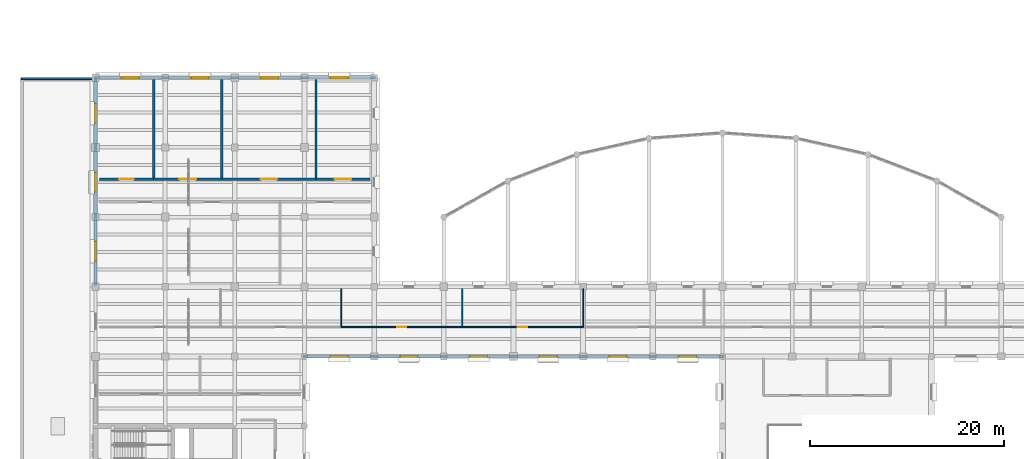
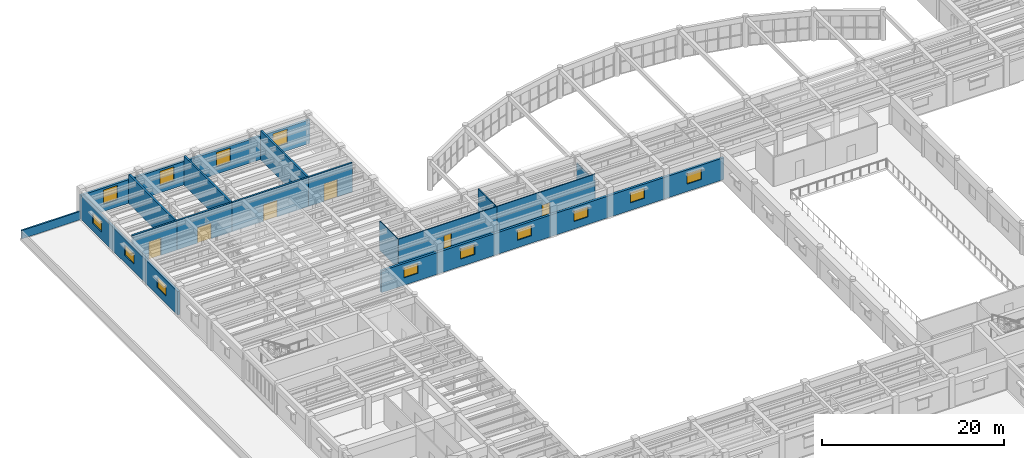
# One storey, part 55 of 76: 16 walls, 13 windows, 6 doors, 19 openings.
"""IFC4 building model written with IfcOpenShell, lengths in metres."""

from ifc_helpers import new_model, si_unit, direction, frame, frame_2d, origin, place, context, subcontext, project, spatial, rectangle, extrude, material, layer, layer_set, type_object, element, fill, save


model = new_model("IFC4")

# Units and contexts
model_context = context("Model", 3, precision=1e-05, world=origin(), true_north=direction((0.0, 1.0)))
body_context = subcontext(model_context, "Body", "Model", "MODEL_VIEW")
ifc_project = project(units=[si_unit("LENGTHUNIT", "METRE"), si_unit("AREAUNIT", "SQUARE_METRE"), si_unit("VOLUMEUNIT", "CUBIC_METRE"), si_unit("PLANEANGLEUNIT", "RADIAN"), si_unit("MASSUNIT", "GRAM", prefix="KILO")], contexts=[model_context])

# Site, building, storey
site_placement = place(None, origin())
site = spatial("IfcSite", under=ifc_project, at=site_placement, CompositionType="ELEMENT")
building_placement = place(site_placement, origin())
building = spatial("IfcBuilding", under=site, at=building_placement, Name="Mithqara Police Headquarters", CompositionType="ELEMENT")
storey_placement = place(building_placement, frame((0.0, 0.0, 5.39990234375)))
storey = spatial("IfcBuildingStorey", under=building, at=storey_placement, Name="L01", CompositionType="ELEMENT", Elevation=5.39990234375)

# Wall, openings, windows
ifc_material_1 = material(Name="Ochre masonry cavity wall, 35 MPa", Category="masonry")
ifc_layer_1 = layer(ifc_material_1, 0.300048828125, Name="Ochre masonry cavity wall, 35 MPa")
ifc_layer_set_1 = layer_set([ifc_layer_1], Name="Ochre masonry cavity wall, 35 MPa")
wall_type_1 = type_object("IfcWallType", Name="EXT WALL OCHRE BRICK300", PredefinedType="SOLIDWALL", material=ifc_layer_set_1)
wall_1_placement = place(storey_placement, frame((36.75, 107.39990234375, 0.0), z_axis=(0.0, 0.0, 1.0), x_axis=(-1.0, 0.0, 0.0)))
wall_1 = element("IfcWall", 1, at=wall_1_placement, inside=storey, type_object=wall_type_1, Name="L01 Exterior Wall 14.1", PredefinedType="SOLIDWALL", context=body_context, shape_type="SweptSolid", body=[
    extrude(rectangle(XDim=29.10009765625, YDim=0.300048828125, at=frame_2d((14.550048828125, 0.0))), origin(), (0.0, 0.0, 1.0), 3.170166015625),
])
opening_1_placement = place(wall_1_placement, frame((24.449951171875, 0.0, 1.0)))
opening_1 = element("IfcOpeningElement", 2, at=opening_1_placement, cuts=wall_1, Name="Opening W-33", PredefinedType="OPENING", context=body_context, shape_type="SweptSolid", body=[
    extrude(rectangle(XDim=1.800048828125, YDim=1.89990234375, at=frame_2d((0.89990234375, 0.949951171875))), frame((0.0, 0.16015625, 0.0), z_axis=(0.0, -1.0, 0.0), x_axis=(1.0, 0.0, 0.0)), (0.0, 0.0, 1.0), 0.320068359375),
])
opening_2_placement = place(wall_1_placement, frame((17.25, 0.0, 1.0)))
opening_2 = element("IfcOpeningElement", 3, at=opening_2_placement, cuts=wall_1, Name="Opening W-33", PredefinedType="OPENING", context=body_context, shape_type="SweptSolid", body=[
    extrude(rectangle(XDim=1.800048828125, YDim=1.89990234375, at=frame_2d((0.89990234375, 0.949951171875))), frame((0.0, 0.16015625, 0.0), z_axis=(0.0, -1.0, 0.0), x_axis=(1.0, 0.0, 0.0)), (0.0, 0.0, 1.0), 0.320068359375),
])
opening_3_placement = place(wall_1_placement, frame((10.050048828125, 0.0, 1.0)))
opening_3 = element("IfcOpeningElement", 4, at=opening_3_placement, cuts=wall_1, Name="Opening W-33", PredefinedType="OPENING", context=body_context, shape_type="SweptSolid", body=[
    extrude(rectangle(XDim=1.800048828125, YDim=1.89990234375, at=frame_2d((0.89990234375, 0.949951171875))), frame((0.0, 0.16015625, 0.0), z_axis=(0.0, -1.0, 0.0), x_axis=(1.0, 0.0, 0.0)), (0.0, 0.0, 1.0), 0.320068359375),
])
opening_4_placement = place(wall_1_placement, frame((2.85009765625, 0.0, 1.0)))
opening_4 = element("IfcOpeningElement", 5, at=opening_4_placement, cuts=wall_1, Name="Opening W-33", PredefinedType="OPENING", context=body_context, shape_type="SweptSolid", body=[
    extrude(rectangle(XDim=1.800048828125, YDim=1.89990234375, at=frame_2d((0.89990234375, 0.949951171875))), frame((0.0, 0.16015625, 0.0), z_axis=(0.0, -1.0, 0.0), x_axis=(1.0, 0.0, 0.0)), (0.0, 0.0, 1.0), 0.320068359375),
])
ifc_material_2 = material(Name="Spectrally selective double low-e glass", Category="glass")
window_type_1 = type_object("IfcWindowType", Name="WINDOW 1800X1900", PartitioningType="DOUBLE_PANEL_VERTICAL", PredefinedType="WINDOW", material=ifc_material_2)
window_1_placement = place(opening_1_placement, origin())
window_1 = element("IfcWindow", 6, at=window_1_placement, inside=storey, type_object=window_type_1, Name="L01 Deep-Set Punched Window 14.1", OverallHeight=1.89990234375, OverallWidth=1.800048828125, PartitioningType="SINGLE_PANEL", PredefinedType="WINDOW", context=body_context, shape_type="SweptSolid", body=[
    extrude(rectangle(XDim=1.800048828125, YDim=1.89990234375, at=frame_2d((0.89990234375, 0.949951171875))), frame((0.0, 0.030029296875, 0.0), z_axis=(0.0, -1.0, 0.0), x_axis=(1.0, 0.0, 0.0)), (0.0, 0.0, 1.0), 0.06005859375),
])
fill(opening_1, window_1)
window_2_placement = place(opening_2_placement, origin())
window_2 = element("IfcWindow", 7, at=window_2_placement, inside=storey, type_object=window_type_1, Name="L01 Deep-Set Punched Window 14.2", OverallHeight=1.89990234375, OverallWidth=1.800048828125, PartitioningType="SINGLE_PANEL", PredefinedType="WINDOW", context=body_context, shape_type="SweptSolid", body=[
    extrude(rectangle(XDim=1.800048828125, YDim=1.89990234375, at=frame_2d((0.89990234375, 0.949951171875))), frame((0.0, 0.030029296875, 0.0), z_axis=(0.0, -1.0, 0.0), x_axis=(1.0, 0.0, 0.0)), (0.0, 0.0, 1.0), 0.06005859375),
])
fill(opening_2, window_2)
window_3_placement = place(opening_3_placement, origin())
window_3 = element("IfcWindow", 8, at=window_3_placement, inside=storey, type_object=window_type_1, Name="L01 Deep-Set Punched Window 14.3", OverallHeight=1.89990234375, OverallWidth=1.800048828125, PartitioningType="SINGLE_PANEL", PredefinedType="WINDOW", context=body_context, shape_type="SweptSolid", body=[
    extrude(rectangle(XDim=1.800048828125, YDim=1.89990234375, at=frame_2d((0.89990234375, 0.949951171875))), frame((0.0, 0.030029296875, 0.0), z_axis=(0.0, -1.0, 0.0), x_axis=(1.0, 0.0, 0.0)), (0.0, 0.0, 1.0), 0.06005859375),
])
fill(opening_3, window_3)
window_4_placement = place(opening_4_placement, origin())
window_4 = element("IfcWindow", 9, at=window_4_placement, inside=storey, type_object=window_type_1, Name="L01 Deep-Set Punched Window 14.4", OverallHeight=1.89990234375, OverallWidth=1.800048828125, PartitioningType="SINGLE_PANEL", PredefinedType="WINDOW", context=body_context, shape_type="SweptSolid", body=[
    extrude(rectangle(XDim=1.800048828125, YDim=1.89990234375, at=frame_2d((0.89990234375, 0.949951171875))), frame((0.0, 0.030029296875, 0.0), z_axis=(0.0, -1.0, 0.0), x_axis=(1.0, 0.0, 0.0)), (0.0, 0.0, 1.0), 0.06005859375),
])
fill(opening_4, window_4)

wall_2_placement = place(storey_placement, frame((7.800048828125, 107.25, 0.0), z_axis=(0.0, 0.0, 1.0), x_axis=(0.0, -1.0, 0.0)))
wall_2 = element("IfcWall", 10, at=wall_2_placement, inside=storey, type_object=wall_type_1, Name="L01 Exterior Wall 15.1", PredefinedType="SOLIDWALL", context=body_context, shape_type="SweptSolid", body=[
    extrude(rectangle(XDim=21.300048828125, YDim=0.300048828125, at=frame_2d((10.64990234375, 0.0))), origin(), (0.0, 0.0, 1.0), 3.170166015625),
])
opening_5_placement = place(wall_2_placement, frame((16.77490234375, 0.0, 1.0)))
opening_5 = element("IfcOpeningElement", 11, at=opening_5_placement, cuts=wall_2, Name="Opening W-36", PredefinedType="OPENING", context=body_context, shape_type="SweptSolid", body=[
    extrude(rectangle(XDim=2.0, YDim=1.39990234375, at=frame_2d((1.0, 0.699951171875))), frame((0.0, 0.16015625, 0.0), z_axis=(0.0, -1.0, 0.0), x_axis=(1.0, 0.0, 0.0)), (0.0, 0.0, 1.0), 0.320068359375),
])
opening_6_placement = place(wall_2_placement, frame((9.64990234375, 0.0, 1.0)))
opening_6 = element("IfcOpeningElement", 12, at=opening_6_placement, cuts=wall_2, Name="Opening W-36", PredefinedType="OPENING", context=body_context, shape_type="SweptSolid", body=[
    extrude(rectangle(XDim=2.0, YDim=1.39990234375, at=frame_2d((1.0, 0.699951171875))), frame((0.0, 0.16015625, 0.0), z_axis=(0.0, -1.0, 0.0), x_axis=(1.0, 0.0, 0.0)), (0.0, 0.0, 1.0), 0.320068359375),
])
opening_7_placement = place(wall_2_placement, frame((2.52490234375, 0.0, 1.0)))
opening_7 = element("IfcOpeningElement", 13, at=opening_7_placement, cuts=wall_2, Name="Opening W-36", PredefinedType="OPENING", context=body_context, shape_type="SweptSolid", body=[
    extrude(rectangle(XDim=2.0, YDim=1.39990234375, at=frame_2d((1.0, 0.699951171875))), frame((0.0, 0.16015625, 0.0), z_axis=(0.0, -1.0, 0.0), x_axis=(1.0, 0.0, 0.0)), (0.0, 0.0, 1.0), 0.320068359375),
])
window_type_2 = type_object("IfcWindowType", Name="WINDOW 2000X1400", PartitioningType="DOUBLE_PANEL_VERTICAL", PredefinedType="WINDOW", material=ifc_material_2)
window_5_placement = place(opening_5_placement, origin())
window_5 = element("IfcWindow", 14, at=window_5_placement, inside=storey, type_object=window_type_2, Name="L01 Deep-Set Punched Window 15.1", OverallHeight=1.39990234375, OverallWidth=2.0, PartitioningType="SINGLE_PANEL", PredefinedType="WINDOW", context=body_context, shape_type="SweptSolid", body=[
    extrude(rectangle(XDim=2.0, YDim=1.39990234375, at=frame_2d((1.0, 0.699951171875))), frame((0.0, 0.030029296875, 0.0), z_axis=(0.0, -1.0, 0.0), x_axis=(1.0, 0.0, 0.0)), (0.0, 0.0, 1.0), 0.06005859375),
])
fill(opening_5, window_5)
window_6_placement = place(opening_6_placement, origin())
window_6 = element("IfcWindow", 15, at=window_6_placement, inside=storey, type_object=window_type_2, Name="L01 Deep-Set Punched Window 15.2", OverallHeight=1.39990234375, OverallWidth=2.0, PartitioningType="SINGLE_PANEL", PredefinedType="WINDOW", context=body_context, shape_type="SweptSolid", body=[
    extrude(rectangle(XDim=2.0, YDim=1.39990234375, at=frame_2d((1.0, 0.699951171875))), frame((0.0, 0.030029296875, 0.0), z_axis=(0.0, -1.0, 0.0), x_axis=(1.0, 0.0, 0.0)), (0.0, 0.0, 1.0), 0.06005859375),
])
fill(opening_6, window_6)
window_7_placement = place(opening_7_placement, origin())
window_7 = element("IfcWindow", 16, at=window_7_placement, inside=storey, type_object=window_type_2, Name="L01 Deep-Set Punched Window 15.3", OverallHeight=1.39990234375, OverallWidth=2.0, PartitioningType="SINGLE_PANEL", PredefinedType="WINDOW", context=body_context, shape_type="SweptSolid", body=[
    extrude(rectangle(XDim=2.0, YDim=1.39990234375, at=frame_2d((1.0, 0.699951171875))), frame((0.0, 0.030029296875, 0.0), z_axis=(0.0, -1.0, 0.0), x_axis=(1.0, 0.0, 0.0)), (0.0, 0.0, 1.0), 0.06005859375),
])
fill(opening_7, window_7)

wall_3_placement = place(storey_placement, frame((29.25, 78.60009765625, 0.0), z_axis=(0.0, 0.0, 1.0), x_axis=(1.0, 0.0, 0.0)))
wall_3 = element("IfcWall", 17, at=wall_3_placement, inside=storey, type_object=wall_type_1, Name="L01 Exterior Wall 3.1", PredefinedType="SOLIDWALL", context=body_context, shape_type="SweptSolid", body=[
    extrude(rectangle(XDim=43.5, YDim=0.300048828125, at=frame_2d((21.75, 0.0))), origin(), (0.0, 0.0, 1.0), 2.920166015625),
])
opening_8_placement = place(wall_3_placement, frame((2.85009765625, 0.0, 1.0)))
opening_8 = element("IfcOpeningElement", 18, at=opening_8_placement, cuts=wall_3, Name="Opening W-31", PredefinedType="OPENING", context=body_context, shape_type="SweptSolid", body=[
    extrude(rectangle(XDim=1.800048828125, YDim=1.39990234375, at=frame_2d((0.89990234375, 0.699951171875))), frame((0.0, 0.16015625, 0.0), z_axis=(0.0, -1.0, 0.0), x_axis=(1.0, 0.0, 0.0)), (0.0, 0.0, 1.0), 0.320068359375),
])
opening_9_placement = place(wall_3_placement, frame((10.050048828125, 0.0, 1.0)))
opening_9 = element("IfcOpeningElement", 19, at=opening_9_placement, cuts=wall_3, Name="Opening W-31", PredefinedType="OPENING", context=body_context, shape_type="SweptSolid", body=[
    extrude(rectangle(XDim=1.800048828125, YDim=1.39990234375, at=frame_2d((0.89990234375, 0.699951171875))), frame((0.0, 0.16015625, 0.0), z_axis=(0.0, -1.0, 0.0), x_axis=(1.0, 0.0, 0.0)), (0.0, 0.0, 1.0), 0.320068359375),
])
opening_10_placement = place(wall_3_placement, frame((17.25, 0.0, 1.0)))
opening_10 = element("IfcOpeningElement", 20, at=opening_10_placement, cuts=wall_3, Name="Opening W-31", PredefinedType="OPENING", context=body_context, shape_type="SweptSolid", body=[
    extrude(rectangle(XDim=1.800048828125, YDim=1.39990234375, at=frame_2d((0.89990234375, 0.699951171875))), frame((0.0, 0.16015625, 0.0), z_axis=(0.0, -1.0, 0.0), x_axis=(1.0, 0.0, 0.0)), (0.0, 0.0, 1.0), 0.320068359375),
])
opening_11_placement = place(wall_3_placement, frame((24.449951171875, 0.0, 1.0)))
opening_11 = element("IfcOpeningElement", 21, at=opening_11_placement, cuts=wall_3, Name="Opening W-31", PredefinedType="OPENING", context=body_context, shape_type="SweptSolid", body=[
    extrude(rectangle(XDim=1.800048828125, YDim=1.39990234375, at=frame_2d((0.89990234375, 0.699951171875))), frame((0.0, 0.16015625, 0.0), z_axis=(0.0, -1.0, 0.0), x_axis=(1.0, 0.0, 0.0)), (0.0, 0.0, 1.0), 0.320068359375),
])
opening_12_placement = place(wall_3_placement, frame((31.64990234375, 0.0, 1.0)))
opening_12 = element("IfcOpeningElement", 22, at=opening_12_placement, cuts=wall_3, Name="Opening W-31", PredefinedType="OPENING", context=body_context, shape_type="SweptSolid", body=[
    extrude(rectangle(XDim=1.800048828125, YDim=1.39990234375, at=frame_2d((0.89990234375, 0.699951171875))), frame((0.0, 0.16015625, 0.0), z_axis=(0.0, -1.0, 0.0), x_axis=(1.0, 0.0, 0.0)), (0.0, 0.0, 1.0), 0.320068359375),
])
opening_13_placement = place(wall_3_placement, frame((38.85009765625, 0.0, 1.0)))
opening_13 = element("IfcOpeningElement", 23, at=opening_13_placement, cuts=wall_3, Name="Opening W-31", PredefinedType="OPENING", context=body_context, shape_type="SweptSolid", body=[
    extrude(rectangle(XDim=1.800048828125, YDim=1.39990234375, at=frame_2d((0.89990234375, 0.699951171875))), frame((0.0, 0.16015625, 0.0), z_axis=(0.0, -1.0, 0.0), x_axis=(1.0, 0.0, 0.0)), (0.0, 0.0, 1.0), 0.320068359375),
])
window_type_3 = type_object("IfcWindowType", Name="WINDOW 1800X1400", PartitioningType="DOUBLE_PANEL_VERTICAL", PredefinedType="WINDOW", material=ifc_material_2)
window_8_placement = place(opening_8_placement, origin())
window_8 = element("IfcWindow", 24, at=window_8_placement, inside=storey, type_object=window_type_3, Name="L01 Deep-Set Punched Window 3.1", OverallHeight=1.39990234375, OverallWidth=1.800048828125, PartitioningType="SINGLE_PANEL", PredefinedType="WINDOW", context=body_context, shape_type="SweptSolid", body=[
    extrude(rectangle(XDim=1.800048828125, YDim=1.39990234375, at=frame_2d((0.89990234375, 0.699951171875))), frame((0.0, 0.030029296875, 0.0), z_axis=(0.0, -1.0, 0.0), x_axis=(1.0, 0.0, 0.0)), (0.0, 0.0, 1.0), 0.06005859375),
])
fill(opening_8, window_8)
window_9_placement = place(opening_9_placement, origin())
window_9 = element("IfcWindow", 25, at=window_9_placement, inside=storey, type_object=window_type_3, Name="L01 Deep-Set Punched Window 3.2", OverallHeight=1.39990234375, OverallWidth=1.800048828125, PartitioningType="SINGLE_PANEL", PredefinedType="WINDOW", context=body_context, shape_type="SweptSolid", body=[
    extrude(rectangle(XDim=1.800048828125, YDim=1.39990234375, at=frame_2d((0.89990234375, 0.699951171875))), frame((0.0, 0.030029296875, 0.0), z_axis=(0.0, -1.0, 0.0), x_axis=(1.0, 0.0, 0.0)), (0.0, 0.0, 1.0), 0.06005859375),
])
fill(opening_9, window_9)
window_10_placement = place(opening_10_placement, origin())
window_10 = element("IfcWindow", 26, at=window_10_placement, inside=storey, type_object=window_type_3, Name="L01 Deep-Set Punched Window 3.3", OverallHeight=1.39990234375, OverallWidth=1.800048828125, PartitioningType="SINGLE_PANEL", PredefinedType="WINDOW", context=body_context, shape_type="SweptSolid", body=[
    extrude(rectangle(XDim=1.800048828125, YDim=1.39990234375, at=frame_2d((0.89990234375, 0.699951171875))), frame((0.0, 0.030029296875, 0.0), z_axis=(0.0, -1.0, 0.0), x_axis=(1.0, 0.0, 0.0)), (0.0, 0.0, 1.0), 0.06005859375),
])
fill(opening_10, window_10)
window_11_placement = place(opening_11_placement, origin())
window_11 = element("IfcWindow", 27, at=window_11_placement, inside=storey, type_object=window_type_3, Name="L01 Deep-Set Punched Window 3.4", OverallHeight=1.39990234375, OverallWidth=1.800048828125, PartitioningType="SINGLE_PANEL", PredefinedType="WINDOW", context=body_context, shape_type="SweptSolid", body=[
    extrude(rectangle(XDim=1.800048828125, YDim=1.39990234375, at=frame_2d((0.89990234375, 0.699951171875))), frame((0.0, 0.030029296875, 0.0), z_axis=(0.0, -1.0, 0.0), x_axis=(1.0, 0.0, 0.0)), (0.0, 0.0, 1.0), 0.06005859375),
])
fill(opening_11, window_11)
window_12_placement = place(opening_12_placement, origin())
window_12 = element("IfcWindow", 28, at=window_12_placement, inside=storey, type_object=window_type_3, Name="L01 Deep-Set Punched Window 3.5", OverallHeight=1.39990234375, OverallWidth=1.800048828125, PartitioningType="SINGLE_PANEL", PredefinedType="WINDOW", context=body_context, shape_type="SweptSolid", body=[
    extrude(rectangle(XDim=1.800048828125, YDim=1.39990234375, at=frame_2d((0.89990234375, 0.699951171875))), frame((0.0, 0.030029296875, 0.0), z_axis=(0.0, -1.0, 0.0), x_axis=(1.0, 0.0, 0.0)), (0.0, 0.0, 1.0), 0.06005859375),
])
fill(opening_12, window_12)
window_13_placement = place(opening_13_placement, origin())
window_13 = element("IfcWindow", 29, at=window_13_placement, inside=storey, type_object=window_type_3, Name="L01 Deep-Set Punched Window 3.6", OverallHeight=1.39990234375, OverallWidth=1.800048828125, PartitioningType="SINGLE_PANEL", PredefinedType="WINDOW", context=body_context, shape_type="SweptSolid", body=[
    extrude(rectangle(XDim=1.800048828125, YDim=1.39990234375, at=frame_2d((0.89990234375, 0.699951171875))), frame((0.0, 0.030029296875, 0.0), z_axis=(0.0, -1.0, 0.0), x_axis=(1.0, 0.0, 0.0)), (0.0, 0.0, 1.0), 0.06005859375),
])
fill(opening_13, window_13)

# Walls
ifc_material_3 = material(Name="Limestone ashlar masonry, 45 MPa", Category="masonry")
ifc_layer_2 = layer(ifc_material_3, 0.199951171875, Name="Limestone ashlar masonry, 45 MPa")
ifc_layer_set_2 = layer_set([ifc_layer_2], Name="Limestone ashlar masonry, 45 MPa")
wall_type_2 = type_object("IfcWallType", Name="PARAPET WALL 200", PredefinedType="PARAPET", material=ifc_layer_set_2)
wall_4_placement = place(storey_placement, frame((0.110107421875, 107.2900390625, 0.0), z_axis=(0.0, 0.0, 1.0), x_axis=(1.0, 0.0, 0.0)))
element("IfcWall", 30, at=wall_4_placement, inside=storey, type_object=wall_type_2, Name="L01 Limestone Roof Parapet ROOF-L00-01-2", PredefinedType="PARAPET", context=body_context, shape_type="SweptSolid", body=[
    extrude(rectangle(XDim=7.469970703125, YDim=0.199951171875, at=frame_2d((3.73486328125, 0.0))), origin(), (0.0, 0.0, 1.0), 1.1201171875),
])
ifc_material_4 = material(Name="Gypsum acoustic stud partition", Category="gypsum")
ifc_layer_3 = layer(ifc_material_4, 0.1201171875, Name="Gypsum acoustic stud partition")
ifc_layer_set_3 = layer_set([ifc_layer_3], Name="Gypsum acoustic stud partition")
wall_type_3 = type_object("IfcWallType", Name="PART WALL 120", PredefinedType="PARTITIONING", material=ifc_layer_set_3)
wall_5_placement = place(storey_placement, frame((33.2099609375, 81.639892578125, 0.0), z_axis=(0.0, 0.0, 1.0), x_axis=(0.0, 1.0, 0.0)))
element("IfcWall", 31, at=wall_5_placement, inside=storey, type_object=wall_type_3, Name="L01 Room Partition Social Worker Liaison Room", PredefinedType="PARTITIONING", context=body_context, shape_type="SweptSolid", body=[
    extrude(rectangle(XDim=3.980224609375, YDim=0.1201171875, at=frame_2d((1.990234375, 0.0))), origin(), (0.0, 0.0, 1.0), 3.920166015625),
])

# Wall, opening, door
wall_6_placement = place(storey_placement, frame((33.2099609375, 81.639892578125, 0.0), z_axis=(0.0, 0.0, 1.0), x_axis=(1.0, 0.0, 0.0)))
wall_6 = element("IfcWall", 32, at=wall_6_placement, inside=storey, type_object=wall_type_3, Name="L01 Corridor Wall Interpreter Suite", PredefinedType="PARTITIONING", context=body_context, shape_type="SweptSolid", body=[
    extrude(rectangle(XDim=12.4951171875, YDim=0.1201171875, at=frame_2d((6.24755859375, 0.0))), origin(), (0.0, 0.0, 1.0), 3.920166015625),
])
opening_14_placement = place(wall_6_placement, frame((5.78759765625, 0.0, 0.0)))
opening_14 = element("IfcOpeningElement", 33, at=opening_14_placement, cuts=wall_6, Name="Opening D-03", PredefinedType="OPENING", context=body_context, shape_type="SweptSolid", body=[
    extrude(rectangle(XDim=0.919921875, YDim=2.35009765625, at=frame_2d((0.4599609375, 1.175048828125))), frame((0.0, 0.070068359375, 0.0), z_axis=(0.0, -1.0, 0.0), x_axis=(1.0, 0.0, 0.0)), (0.0, 0.0, 1.0), 0.14013671875),
])
ifc_material_5 = material(Name="Acoustic solid-core timber leaf", Category="wood")
door_type_1 = type_object("IfcDoorType", Name="INT DOOR 920X2350", OperationType="NOTDEFINED", PredefinedType="DOOR", material=ifc_material_5)
door_1_placement = place(opening_14_placement, origin())
door_1 = element("IfcDoor", 34, at=door_1_placement, inside=storey, type_object=door_type_1, Name="Interpreter Suite Entry Door", OperationType="SINGLE_SWING_RIGHT", OverallHeight=2.35009765625, OverallWidth=0.919921875, PredefinedType="DOOR", context=body_context, shape_type="SweptSolid", body=[
    extrude(rectangle(XDim=0.919921875, YDim=2.35009765625, at=frame_2d((0.4599609375, 1.175048828125))), frame((0.0, 0.02490234375, 0.0), z_axis=(0.0, -1.0, 0.0), x_axis=(1.0, 0.0, 0.0)), (0.0, 0.0, 1.0), 0.050048828125),
])
fill(opening_14, door_1)

# Wall
wall_7_placement = place(storey_placement, frame((45.705078125, 81.639892578125, 0.0), z_axis=(0.0, 0.0, 1.0), x_axis=(0.0, 1.0, 0.0)))
element("IfcWall", 35, at=wall_7_placement, inside=storey, type_object=wall_type_3, Name="L01 Room Partition Interpreter Suite", PredefinedType="PARTITIONING", context=body_context, shape_type="SweptSolid", body=[
    extrude(rectangle(XDim=3.980224609375, YDim=0.1201171875, at=frame_2d((1.990234375, 0.0))), origin(), (0.0, 0.0, 1.0), 3.920166015625),
])

# Wall, opening, door
wall_8_placement = place(storey_placement, frame((45.705078125, 81.639892578125, 0.0), z_axis=(0.0, 0.0, 1.0), x_axis=(1.0, 0.0, 0.0)))
wall_8 = element("IfcWall", 36, at=wall_8_placement, inside=storey, type_object=wall_type_3, Name="L01 Corridor Wall Civic Gallery Concourse", PredefinedType="PARTITIONING", context=body_context, shape_type="SweptSolid", body=[
    extrude(rectangle(XDim=12.494873046875, YDim=0.1201171875, at=frame_2d((6.24755859375, 0.0))), origin(), (0.0, 0.0, 1.0), 3.920166015625),
])
opening_15_placement = place(wall_8_placement, frame((5.757568359375, 0.0, 0.0)))
opening_15 = element("IfcOpeningElement", 37, at=opening_15_placement, cuts=wall_8, Name="Opening D-04", PredefinedType="OPENING", context=body_context, shape_type="SweptSolid", body=[
    extrude(rectangle(XDim=0.97998046875, YDim=2.10009765625, at=frame_2d((0.489990234375, 1.050048828125))), frame((0.0, 0.070068359375, 0.0), z_axis=(0.0, -1.0, 0.0), x_axis=(1.0, 0.0, 0.0)), (0.0, 0.0, 1.0), 0.14013671875),
])
door_type_2 = type_object("IfcDoorType", Name="INT DOOR 980X2100", OperationType="NOTDEFINED", PredefinedType="DOOR", material=ifc_material_5)
door_2_placement = place(opening_15_placement, origin())
door_2 = element("IfcDoor", 38, at=door_2_placement, inside=storey, type_object=door_type_2, Name="Civic Gallery Concourse Entry Door", OperationType="SINGLE_SWING_LEFT", OverallHeight=2.10009765625, OverallWidth=0.97998046875, PredefinedType="DOOR", context=body_context, shape_type="SweptSolid", body=[
    extrude(rectangle(XDim=0.97998046875, YDim=2.10009765625, at=frame_2d((0.489990234375, 1.050048828125))), frame((0.0, 0.02490234375, 0.0), z_axis=(0.0, -1.0, 0.0), x_axis=(1.0, 0.0, 0.0)), (0.0, 0.0, 1.0), 0.050048828125),
])
fill(opening_15, door_2)

# Wall
wall_9_placement = place(storey_placement, frame((58.199951171875, 81.639892578125, 0.0), z_axis=(0.0, 0.0, 1.0), x_axis=(0.0, 1.0, 0.0)))
element("IfcWall", 39, at=wall_9_placement, inside=storey, type_object=wall_type_3, Name="L01 Room Partition Civic Gallery Concourse", PredefinedType="PARTITIONING", context=body_context, shape_type="SweptSolid", body=[
    extrude(rectangle(XDim=3.980224609375, YDim=0.1201171875, at=frame_2d((1.990234375, 0.0))), origin(), (0.0, 0.0, 1.0), 3.02001953125),
])

# Wall, opening, door
ifc_material_6 = material(Name="Concrete C40/50", Category="concrete")
ifc_layer_4 = layer(ifc_material_6, 0.22998046875, Name="Concrete C40/50")
ifc_layer_set_4 = layer_set([ifc_layer_4], Name="Concrete C40/50")
wall_type_4 = type_object("IfcWallType", Name="PART WALL 230", PredefinedType="PARTITIONING", material=ifc_layer_set_4)
wall_10_placement = place(storey_placement, frame((8.219970703125, 96.919921875, 0.0), z_axis=(0.0, 0.0, 1.0), x_axis=(1.0, 0.0, 0.0)))
wall_10 = element("IfcWall", 40, at=wall_10_placement, inside=storey, type_object=wall_type_4, Name="L01 Corridor Wall Citizen Interview Room", PredefinedType="PARTITIONING", context=body_context, shape_type="SweptSolid", body=[
    extrude(rectangle(XDim=5.592041015625, YDim=0.22998046875, at=frame_2d((2.7958984375, 0.0))), origin(), (0.0, 0.0, 1.0), 3.920166015625),
])
opening_16_placement = place(wall_10_placement, frame((2.035888671875, 0.0, 0.0)))
opening_16 = element("IfcOpeningElement", 41, at=opening_16_placement, cuts=wall_10, Name="Opening D-21", PredefinedType="OPENING", context=body_context, shape_type="SweptSolid", body=[
    extrude(rectangle(XDim=1.52001953125, YDim=2.35009765625, at=frame_2d((0.760009765625, 1.175048828125))), frame((0.0, 0.125, 0.0), z_axis=(0.0, -1.0, 0.0), x_axis=(1.0, 0.0, 0.0)), (0.0, 0.0, 1.0), 0.25),
])
ifc_material_7 = material(Name="Bronze anodised aluminium 6063-T6", Category="aluminium")
door_type_3 = type_object("IfcDoorType", Name="INT DOOR 1520X2350", OperationType="NOTDEFINED", PredefinedType="DOOR", material=ifc_material_7)
door_3_placement = place(opening_16_placement, origin())
door_3 = element("IfcDoor", 42, at=door_3_placement, inside=storey, type_object=door_type_3, Name="Citizen Interview Room Entry Door", OperationType="DOUBLE_DOOR_SINGLE_SWING", OverallHeight=2.35009765625, OverallWidth=1.52001953125, PredefinedType="DOOR", context=body_context, shape_type="SweptSolid", body=[
    extrude(rectangle(XDim=1.52001953125, YDim=2.35009765625, at=frame_2d((0.760009765625, 1.175048828125))), frame((0.0, 0.02490234375, 0.0), z_axis=(0.0, -1.0, 0.0), x_axis=(1.0, 0.0, 0.0)), (0.0, 0.0, 1.0), 0.050048828125),
])
fill(opening_16, door_3)

# Wall
wall_11_placement = place(storey_placement, frame((13.81201171875, 96.919921875, 0.0), z_axis=(0.0, 0.0, 1.0), x_axis=(0.0, 1.0, 0.0)))
element("IfcWall", 43, at=wall_11_placement, inside=storey, type_object=wall_type_4, Name="L01 Room Partition Citizen Interview Room", PredefinedType="PARTITIONING", context=body_context, shape_type="SweptSolid", body=[
    extrude(rectangle(XDim=10.300048828125, YDim=0.22998046875, at=frame_2d((5.14990234375, 0.0))), origin(), (0.0, 0.0, 1.0), 3.920166015625),
])

# Wall, opening, door
wall_12_placement = place(storey_placement, frame((13.81201171875, 96.919921875, 0.0), z_axis=(0.0, 0.0, 1.0), x_axis=(1.0, 0.0, 0.0)))
wall_12 = element("IfcWall", 44, at=wall_12_placement, inside=storey, type_object=wall_type_4, Name="L01 Corridor Wall Passport and Permits Office", PredefinedType="PARTITIONING", context=body_context, shape_type="SweptSolid", body=[
    extrude(rectangle(XDim=7.0419921875, YDim=0.22998046875, at=frame_2d((3.52099609375, 0.0))), origin(), (0.0, 0.0, 1.0), 3.920166015625),
])
opening_17_placement = place(wall_12_placement, frame((2.660888671875, 0.0, 0.0)))
opening_17 = element("IfcOpeningElement", 45, at=opening_17_placement, cuts=wall_12, Name="Opening D-22", PredefinedType="OPENING", context=body_context, shape_type="SweptSolid", body=[
    extrude(rectangle(XDim=1.719970703125, YDim=2.10009765625, at=frame_2d((0.85986328125, 1.050048828125))), frame((0.0, 0.125, 0.0), z_axis=(0.0, -1.0, 0.0), x_axis=(1.0, 0.0, 0.0)), (0.0, 0.0, 1.0), 0.25),
])
door_type_4 = type_object("IfcDoorType", Name="INT DOOR 1720X2100", OperationType="NOTDEFINED", PredefinedType="DOOR", material=ifc_material_7)
door_4_placement = place(opening_17_placement, origin())
door_4 = element("IfcDoor", 46, at=door_4_placement, inside=storey, type_object=door_type_4, Name="Passport and Permits Office Entry Door", OperationType="DOUBLE_DOOR_SINGLE_SWING", OverallHeight=2.10009765625, OverallWidth=1.719970703125, PredefinedType="DOOR", context=body_context, shape_type="SweptSolid", body=[
    extrude(rectangle(XDim=1.719970703125, YDim=2.10009765625, at=frame_2d((0.85986328125, 1.050048828125))), frame((0.0, 0.02490234375, 0.0), z_axis=(0.0, -1.0, 0.0), x_axis=(1.0, 0.0, 0.0)), (0.0, 0.0, 1.0), 0.050048828125),
])
fill(opening_17, door_4)

# Wall
wall_13_placement = place(storey_placement, frame((20.85400390625, 96.919921875, 0.0), z_axis=(0.0, 0.0, 1.0), x_axis=(0.0, 1.0, 0.0)))
element("IfcWall", 47, at=wall_13_placement, inside=storey, type_object=wall_type_4, Name="L01 Room Partition Passport and Permits Office", PredefinedType="PARTITIONING", context=body_context, shape_type="SweptSolid", body=[
    extrude(rectangle(XDim=10.300048828125, YDim=0.22998046875, at=frame_2d((5.14990234375, 0.0))), origin(), (0.0, 0.0, 1.0), 3.920166015625),
])

# Wall, opening, door
wall_14_placement = place(storey_placement, frame((20.85400390625, 96.919921875, 0.0), z_axis=(0.0, 0.0, 1.0), x_axis=(1.0, 0.0, 0.0)))
wall_14 = element("IfcWall", 48, at=wall_14_placement, inside=storey, type_object=wall_type_4, Name="L01 Corridor Wall Community Mediation Suite", PredefinedType="PARTITIONING", context=body_context, shape_type="SweptSolid", body=[
    extrude(rectangle(XDim=9.73388671875, YDim=0.22998046875, at=frame_2d((4.866943359375, 0.0))), origin(), (0.0, 0.0, 1.0), 3.920166015625),
])
opening_18_placement = place(wall_14_placement, frame((4.007080078125, 0.0, 0.0)))
opening_18 = element("IfcOpeningElement", 49, at=opening_18_placement, cuts=wall_14, Name="Opening D-23", PredefinedType="OPENING", context=body_context, shape_type="SweptSolid", body=[
    extrude(rectangle(XDim=1.719970703125, YDim=2.219970703125, at=frame_2d((0.85986328125, 1.10986328125))), frame((0.0, 0.125, 0.0), z_axis=(0.0, -1.0, 0.0), x_axis=(1.0, 0.0, 0.0)), (0.0, 0.0, 1.0), 0.25),
])
door_type_5 = type_object("IfcDoorType", Name="INT DOOR 1720X2220", OperationType="NOTDEFINED", PredefinedType="DOOR", material=ifc_material_7)
door_5_placement = place(opening_18_placement, origin())
door_5 = element("IfcDoor", 50, at=door_5_placement, inside=storey, type_object=door_type_5, Name="Community Mediation Suite Entry Door", OperationType="DOUBLE_DOOR_SINGLE_SWING", OverallHeight=2.219970703125, OverallWidth=1.719970703125, PredefinedType="DOOR", context=body_context, shape_type="SweptSolid", body=[
    extrude(rectangle(XDim=1.719970703125, YDim=2.219970703125, at=frame_2d((0.85986328125, 1.10986328125))), frame((0.0, 0.02490234375, 0.0), z_axis=(0.0, -1.0, 0.0), x_axis=(1.0, 0.0, 0.0)), (0.0, 0.0, 1.0), 0.050048828125),
])
fill(opening_18, door_5)

# Wall
wall_15_placement = place(storey_placement, frame((30.587890625, 96.919921875, 0.0), z_axis=(0.0, 0.0, 1.0), x_axis=(0.0, 1.0, 0.0)))
element("IfcWall", 51, at=wall_15_placement, inside=storey, type_object=wall_type_4, Name="L01 Room Partition Community Mediation Suite", PredefinedType="PARTITIONING", context=body_context, shape_type="SweptSolid", body=[
    extrude(rectangle(XDim=10.300048828125, YDim=0.22998046875, at=frame_2d((5.14990234375, 0.0))), origin(), (0.0, 0.0, 1.0), 3.920166015625),
])

# Wall, opening, door
wall_16_placement = place(storey_placement, frame((30.587890625, 96.919921875, 0.0), z_axis=(0.0, 0.0, 1.0), x_axis=(1.0, 0.0, 0.0)))
wall_16 = element("IfcWall", 52, at=wall_16_placement, inside=storey, type_object=wall_type_4, Name="L01 Corridor Wall Public Records Counter", PredefinedType="PARTITIONING", context=body_context, shape_type="SweptSolid", body=[
    extrude(rectangle(XDim=5.592041015625, YDim=0.22998046875, at=frame_2d((2.7958984375, 0.0))), origin(), (0.0, 0.0, 1.0), 3.920166015625),
])
opening_19_placement = place(wall_16_placement, frame((1.93603515625, 0.0, 0.0)))
opening_19 = element("IfcOpeningElement", 53, at=opening_19_placement, cuts=wall_16, Name="Opening D-24", PredefinedType="OPENING", context=body_context, shape_type="SweptSolid", body=[
    extrude(rectangle(XDim=1.719970703125, YDim=2.35009765625, at=frame_2d((0.85986328125, 1.175048828125))), frame((0.0, 0.125, 0.0), z_axis=(0.0, -1.0, 0.0), x_axis=(1.0, 0.0, 0.0)), (0.0, 0.0, 1.0), 0.25),
])
door_type_6 = type_object("IfcDoorType", Name="INT DOOR 1720X2350", OperationType="NOTDEFINED", PredefinedType="DOOR", material=ifc_material_7)
door_6_placement = place(opening_19_placement, origin())
door_6 = element("IfcDoor", 54, at=door_6_placement, inside=storey, type_object=door_type_6, Name="Public Records Counter Entry Door", OperationType="DOUBLE_DOOR_SINGLE_SWING", OverallHeight=2.35009765625, OverallWidth=1.719970703125, PredefinedType="DOOR", context=body_context, shape_type="SweptSolid", body=[
    extrude(rectangle(XDim=1.719970703125, YDim=2.35009765625, at=frame_2d((0.85986328125, 1.175048828125))), frame((0.0, 0.02490234375, 0.0), z_axis=(0.0, -1.0, 0.0), x_axis=(1.0, 0.0, 0.0)), (0.0, 0.0, 1.0), 0.050048828125),
])
fill(opening_19, door_6)

save(model, "model.ifc")
